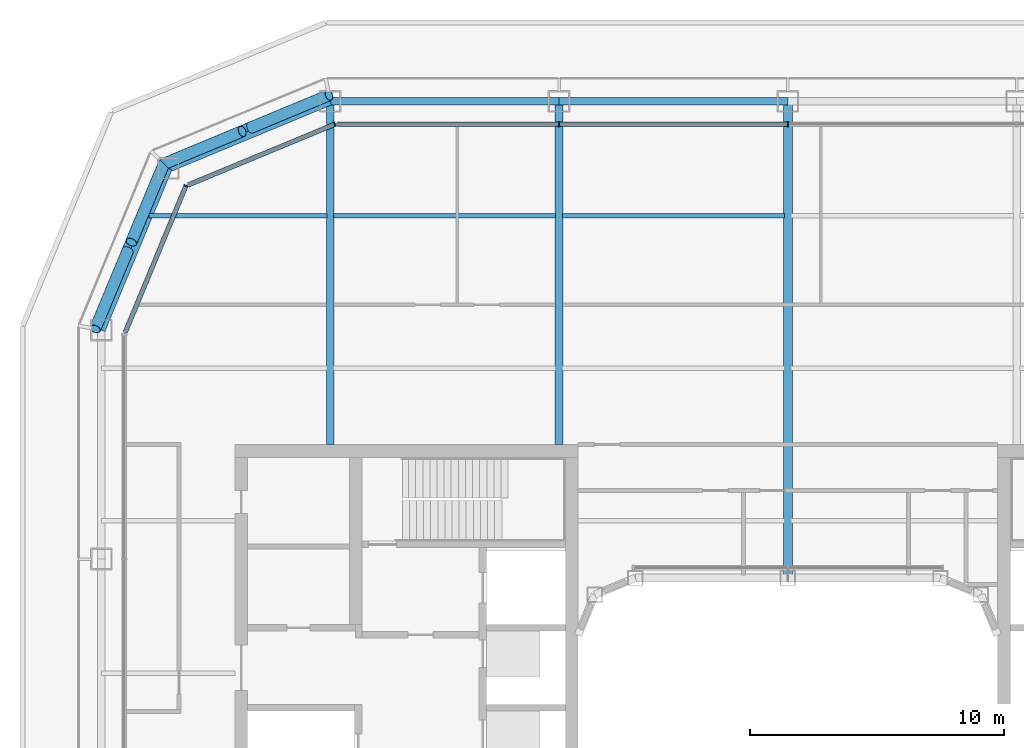
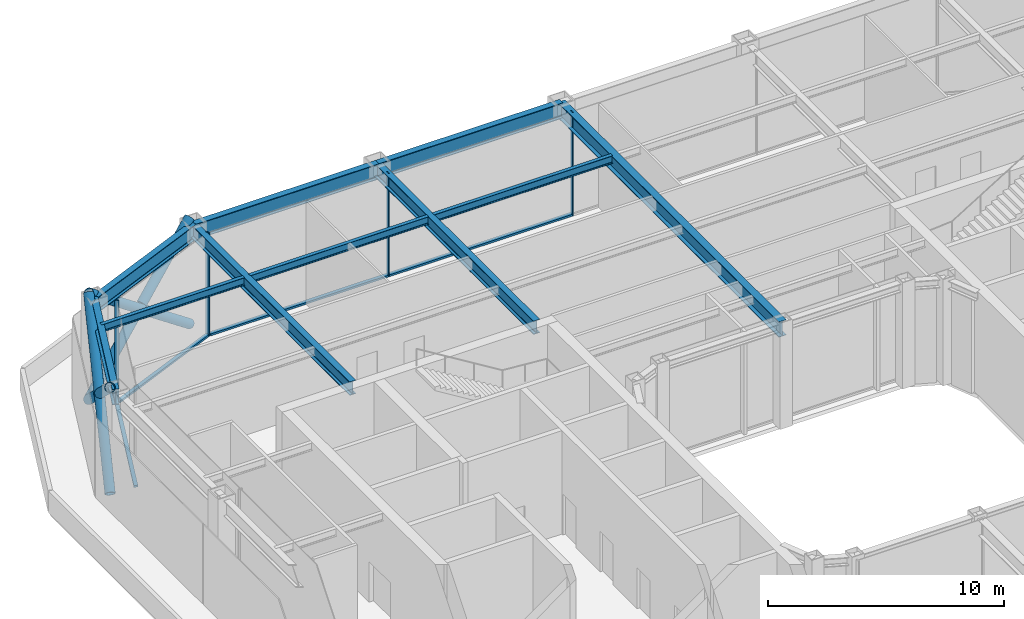
# One storey, part 7 of 19: 14 members, 10 beams, 3 elements without a shape of their own.
"""IFC4 building model written with IfcOpenShell, lengths in metres."""

from ifc_helpers import new_model, si_unit, direction, frame, origin, origin_2d, place, context, subcontext, project, spatial, rectangle, hollow_circle, i_section, extrude, material, layer, layer_set, material_profile, profile_set, type_object, element, aggregate, save


model = new_model("IFC4")

# Units and contexts
model_context = context("Model", 3, precision=1e-05, world=origin(), true_north=direction((0.0, 1.0)))
body_context = subcontext(model_context, "Body", "Model", "MODEL_VIEW")
ifc_project = project(units=[si_unit("LENGTHUNIT", "METRE"), si_unit("AREAUNIT", "SQUARE_METRE"), si_unit("VOLUMEUNIT", "CUBIC_METRE"), si_unit("PLANEANGLEUNIT", "RADIAN"), si_unit("MASSUNIT", "GRAM", prefix="KILO")], contexts=[model_context])

# Site, building, storey
site_placement = place(None, origin())
site = spatial("IfcSite", under=ifc_project, at=site_placement, CompositionType="ELEMENT")
building_placement = place(site_placement, origin())
building = spatial("IfcBuilding", under=site, at=building_placement, Name="Siwar Civic Tower", CompositionType="ELEMENT")
storey_placement = place(building_placement, frame((0.0, 0.0, 187.199951171875)))
storey = spatial("IfcBuildingStorey", under=building, at=storey_placement, Name="L40", CompositionType="ELEMENT", Elevation=187.199951171875)

# Curtain wall, members
ifc_material_1 = material(Name="Aluminium and glass", Category="aluminium")
ifc_layer_1 = layer(ifc_material_1, 0.179931640625)
ifc_layer_set_1 = layer_set([ifc_layer_1], Name="Aluminium and glass")
curtain_wall_type_1 = type_object("IfcCurtainWallType", Name="ENV-CW-C", PredefinedType="NOTDEFINED", material=ifc_layer_set_1)
curtain_wall_1_placement = place(storey_placement, origin())
curtain_wall_1 = element("IfcCurtainWall", 1, at=curtain_wall_1_placement, inside=storey, type_object=curtain_wall_type_1, Name="Curtain wall C N", PredefinedType="NOTDEFINED")
ifc_material_2 = material(Name="Aluminium 6063-T6", Category="aluminium")
ifc_material_profile_1 = material_profile(ifc_material_2, rectangle(XDim=0.179931640625, YDim=0.06005859375, at=origin_2d()), Name="AL 180x60")
ifc_profile_set_1 = profile_set([ifc_material_profile_1], Name="Aluminium 6063-T6")
member_type_1 = type_object("IfcMemberType", Name="ENV-MULLION-C", PredefinedType="MULLION", material=ifc_profile_set_1)
member_1_placement = place(storey_placement, frame((0.0, 26.10009765625, 0.0), z_axis=(0.0, 0.0, 1.0), x_axis=(0.0, -1.0, 0.0)))
member_1 = element("IfcMember", 2, at=member_1_placement, type_object=member_type_1, Name="Mullion C N 3", PredefinedType="MULLION", context=body_context, shape_type="SweptSolid", body=[
    extrude(rectangle(XDim=0.179931640625, YDim=0.06005859375, at=origin_2d()), origin(), (0.0, 0.0, 1.0), 5.35009765625),
])
member_2_placement = place(storey_placement, frame((-9.0, 26.10009765625, 0.0), z_axis=(0.0, 0.0, 1.0), x_axis=(0.0, -1.0, 0.0)))
member_2 = element("IfcMember", 3, at=member_2_placement, type_object=member_type_1, Name="Mullion C N 4", PredefinedType="MULLION", context=body_context, shape_type="SweptSolid", body=[
    extrude(rectangle(XDim=0.179931640625, YDim=0.06005859375, at=origin_2d()), origin(), (0.0, 0.0, 1.0), 5.35009765625),
])

# Curtain wall, member
ifc_material_3 = material(Name="Aluminium clad insulated panel", Category="aluminium")
ifc_layer_2 = layer(ifc_material_3, 0.179931640625)
ifc_layer_set_2 = layer_set([ifc_layer_2], Name="Aluminium clad insulated panel")
curtain_wall_type_2 = type_object("IfcCurtainWallType", Name="ENV-CW-CX", PredefinedType="NOTDEFINED", material=ifc_layer_set_2)
curtain_wall_2_placement = place(storey_placement, origin())
curtain_wall_2 = element("IfcCurtainWall", 4, at=curtain_wall_2_placement, inside=storey, type_object=curtain_wall_type_2, Name="Curtain wall C NW1", PredefinedType="NOTDEFINED")
member_3_placement = place(storey_placement, frame((-17.821044921875, 26.10009765625, 0.0), z_axis=(0.0, 0.0, 1.0), x_axis=(0.382683432365, -0.923879532511, 0.0)))
member_3 = element("IfcMember", 5, at=member_3_placement, type_object=member_type_1, Name="Mullion C NW1 1", PredefinedType="MULLION", context=body_context, shape_type="SweptSolid", body=[
    extrude(rectangle(XDim=0.179931640625, YDim=0.06005859375, at=origin_2d()), origin(), (0.0, 0.0, 1.0), 5.35009765625),
])

curtain_wall_3_placement = place(storey_placement, origin())
curtain_wall_3 = element("IfcCurtainWall", 6, at=curtain_wall_3_placement, inside=storey, type_object=curtain_wall_type_2, Name="Curtain wall C NW2", PredefinedType="NOTDEFINED")
member_4_placement = place(storey_placement, frame((-23.675048828125, 23.675048828125, 0.0), z_axis=(0.0, 0.0, 1.0), x_axis=(0.923879532511, -0.382683432365, 0.0)))
member_4 = element("IfcMember", 7, at=member_4_placement, type_object=member_type_1, Name="Mullion C NW2 1", PredefinedType="MULLION", context=body_context, shape_type="SweptSolid", body=[
    extrude(rectangle(XDim=0.179931640625, YDim=0.06005859375, at=origin_2d()), origin(), (0.0, 0.0, 1.0), 5.35009765625),
])

# Member
ifc_material_4 = material(Name="Aluminium 6063-T6", Category="aluminium")
ifc_material_profile_2 = material_profile(ifc_material_4, rectangle(XDim=0.179931640625, YDim=0.10009765625, at=origin_2d()), Name="AL 180x100")
ifc_profile_set_2 = profile_set([ifc_material_profile_2], Name="Aluminium 6063-T6")
member_type_2 = type_object("IfcMemberType", Name="ENV-TRANSOM-C", PredefinedType="USERDEFINED", material=ifc_profile_set_2)
member_5_placement = place(storey_placement, frame((-0.030029296875, 26.10009765625, 0.050048828125), z_axis=(-1.0, 0.0, 0.0), x_axis=(0.0, -1.0, 0.0)))
member_5 = element("IfcMember", 8, at=member_5_placement, type_object=member_type_2, Name="Transom C N 3", ObjectType="TRANSOM", PredefinedType="USERDEFINED", context=body_context, shape_type="SweptSolid", body=[
    extrude(rectangle(XDim=0.179931640625, YDim=0.10009765625, at=origin_2d()), origin(), (0.0, 0.0, 1.0), 8.93994140625),
])

member_6_placement = place(storey_placement, frame((-9.030029296875, 26.10009765625, 0.050048828125), z_axis=(-1.0, 0.0, 0.0), x_axis=(0.0, -1.0, 0.0)))
member_6 = element("IfcMember", 9, at=member_6_placement, type_object=member_type_2, Name="Transom C N 4", ObjectType="TRANSOM", PredefinedType="USERDEFINED", context=body_context, shape_type="SweptSolid", body=[
    extrude(rectangle(XDim=0.179931640625, YDim=0.10009765625, at=origin_2d()), origin(), (0.0, 0.0, 1.0), 8.68603515625),
])

aggregate(curtain_wall_1, [member_1, member_2, member_5, member_6])

member_7_placement = place(storey_placement, frame((-17.8486328125, 26.088623046875, 0.050048828125), z_axis=(-0.923882011223, -0.38267744817, 0.0), x_axis=(0.38267744817, -0.923882011223, 0.0)))
member_7 = element("IfcMember", 10, at=member_7_placement, type_object=member_type_2, Name="Transom C NW1 1", ObjectType="TRANSOM", PredefinedType="USERDEFINED", context=body_context, shape_type="SweptSolid", body=[
    extrude(rectangle(XDim=0.179931640625, YDim=0.10009765625, at=origin_2d()), origin(), (0.0, 0.0, 1.0), 6.201904296875),
])

aggregate(curtain_wall_2, [member_3, member_7])

member_8_placement = place(storey_placement, frame((-23.6865234375, 23.6474609375, 0.050048828125), z_axis=(-0.382691366456, -0.923876246063, 0.0), x_axis=(0.923876246063, -0.382691366456, 0.0)))
member_8 = element("IfcMember", 11, at=member_8_placement, type_object=member_type_2, Name="Transom C NW2 1", ObjectType="TRANSOM", PredefinedType="USERDEFINED", context=body_context, shape_type="SweptSolid", body=[
    extrude(rectangle(XDim=0.179931640625, YDim=0.10009765625, at=origin_2d()), origin(), (0.0, 0.0, 1.0), 6.20166015625),
])

aggregate(curtain_wall_3, [member_4, member_8])

# Members
ifc_material_5 = material(Name="Steel S355", Category="steel")
ifc_material_profile_3 = material_profile(ifc_material_5, hollow_circle(Radius=0.228515625, WallThickness=0.02001953125, at=origin_2d()), Name="CHS457x20")
ifc_profile_set_3 = profile_set([ifc_material_profile_3], Name="Steel S355")
member_type_3 = type_object("IfcMemberType", Name="STR-BR-CHS457x20", PredefinedType="BRACE", material=ifc_profile_set_3)
member_9_placement = place(storey_placement, frame((-27.2451171875, 18.048828125, 0.0), z_axis=(0.302906807269, 0.727145879939, 0.616040855299), x_axis=(-0.923108759191, 0.384538969033, 0.0)))
element("IfcMember", 12, at=member_9_placement, inside=storey, type_object=member_type_3, Name="L40/brc/CNW1-0-0-1", PredefinedType="BRACE", context=body_context, shape_type="SweptSolid", body=[
    extrude(hollow_circle(Radius=0.228515625, WallThickness=0.02001953125, at=origin_2d()), origin(), (0.0, 0.0, 1.0), 8.927978515625),
])
member_10_placement = place(storey_placement, frame((-24.540771484375, 24.540771484375, 0.0), z_axis=(-0.302925168513, -0.727124205174, 0.616057410094), x_axis=(0.923096415499, -0.384568599462, 0.0)))
element("IfcMember", 13, at=member_10_placement, inside=storey, type_object=member_type_3, Name="L40/brc/CNW1-0-0-2", PredefinedType="BRACE", context=body_context, shape_type="SweptSolid", body=[
    extrude(hollow_circle(Radius=0.228515625, WallThickness=0.02001953125, at=origin_2d()), origin(), (0.0, 0.0, 1.0), 4.233642578125),
])
member_11_placement = place(storey_placement, frame((-25.962890625, 21.127197265625, 2.89208984375), z_axis=(-0.302883552178, -0.727162739796, 0.616032388493), x_axis=(0.923122402988, -0.384506214648, 0.0)))
element("IfcMember", 14, at=member_11_placement, inside=storey, type_object=member_type_3, Name="L40/brc/CNW1-0-0-3", PredefinedType="BRACE", context=body_context, shape_type="SweptSolid", body=[
    extrude(hollow_circle(Radius=0.228515625, WallThickness=0.02001953125, at=origin_2d()), origin(), (0.0, 0.0, 1.0), 4.2333984375),
])
member_12_placement = place(storey_placement, frame((-18.048828125, 27.2451171875, 0.0), z_axis=(-0.727145879939, -0.302906807269, 0.616040855299), x_axis=(0.384538969033, -0.923108759191, 0.0)))
element("IfcMember", 15, at=member_12_placement, inside=storey, type_object=member_type_3, Name="L40/brc/CNW1-0-0-0", PredefinedType="BRACE", context=body_context, shape_type="SweptSolid", body=[
    extrude(hollow_circle(Radius=0.228515625, WallThickness=0.02001953125, at=origin_2d()), origin(), (0.0, 0.0, 1.0), 8.927978515625),
])
member_13_placement = place(storey_placement, frame((-24.540771484375, 24.540771484375, 0.0), z_axis=(0.727124205174, 0.302925168513, 0.616057410094), x_axis=(-0.384568599462, 0.923096415499, 0.0)))
element("IfcMember", 16, at=member_13_placement, inside=storey, type_object=member_type_3, Name="L40/brc/CNW1-0-0-4", PredefinedType="BRACE", context=body_context, shape_type="SweptSolid", body=[
    extrude(hollow_circle(Radius=0.228515625, WallThickness=0.02001953125, at=origin_2d()), origin(), (0.0, 0.0, 1.0), 4.233642578125),
])
member_14_placement = place(storey_placement, frame((-21.127197265625, 25.962890625, 2.89208984375), z_axis=(0.727162739796, 0.302883552178, 0.616032388493), x_axis=(-0.384506214648, 0.923122402988, 0.0)))
element("IfcMember", 17, at=member_14_placement, inside=storey, type_object=member_type_3, Name="L40/brc/CNW1-0-0-5", PredefinedType="BRACE", context=body_context, shape_type="SweptSolid", body=[
    extrude(hollow_circle(Radius=0.228515625, WallThickness=0.02001953125, at=origin_2d()), origin(), (0.0, 0.0, 1.0), 4.2333984375),
])

# Beams
ifc_material_6 = material(Name="Steel S355", Category="steel")
ifc_material_profile_4 = material_profile(ifc_material_6, i_section(OverallWidth=0.179931640625, OverallDepth=0.39990234375, WebThickness=0.008544921875, FlangeThickness=0.013427734375, FilletRadius=0.02099609375, at=origin_2d()), Name="IPE400")
ifc_profile_set_4 = profile_set([ifc_material_profile_4], Name="Steel S355")
beam_type_1 = type_object("IfcBeamType", Name="STR-FB-IPE400", PredefinedType="JOIST", material=ifc_profile_set_4)
beam_1_placement = place(storey_placement, frame((-25.135986328125, 22.5, 5.150146484375), z_axis=(1.0, 0.0, 0.0), x_axis=(0.0, 1.0, 0.0)))
element("IfcBeam", 18, at=beam_1_placement, inside=storey, type_object=beam_type_1, Name="L40/bm/F037", PredefinedType="JOIST", context=body_context, shape_type="SweptSolid", body=[
    extrude(i_section(OverallWidth=0.179931640625, OverallDepth=0.39990234375, WebThickness=0.008544921875, FlangeThickness=0.013427734375, FilletRadius=0.02099609375, at=origin_2d()), origin(), (0.0, 0.0, 1.0), 7.006103515625),
])
for number, where, z_axis, x_axis, name in (
    (19, (-17.8701171875, 22.5, 5.150146484375), (1.0, 0.0, 0.0), (0.0, 1.0, 0.0), "L40/bm/F038"),
    (20, (-8.8701171875, 22.5, 5.150146484375), (1.0, 0.0, 0.0), (0.0, 1.0, 0.0), "L40/bm/F039"),
):
    element("IfcBeam", number, at=place(storey_placement, frame(where, z_axis=z_axis, x_axis=x_axis)), inside=storey, type_object=beam_type_1, Name=name, PredefinedType="JOIST", context=body_context, shape_type="SweptSolid", body=[
        extrude(i_section(OverallWidth=0.179931640625, OverallDepth=0.39990234375, WebThickness=0.008544921875, FlangeThickness=0.013427734375, FilletRadius=0.02099609375, at=origin_2d()), origin(), (0.0, 0.0, 1.0), 8.740234375),
    ])
ifc_material_7 = material(Name="Steel S355", Category="steel")
ifc_material_profile_5 = material_profile(ifc_material_7, i_section(OverallWidth=0.300048828125, OverallDepth=0.699951171875, WebThickness=0.01708984375, FlangeThickness=0.031982421875, FilletRadius=0.027099609375, at=origin_2d()), Name="HEB700")
ifc_profile_set_5 = profile_set([ifc_material_profile_5], Name="Steel S355")
beam_type_2 = type_object("IfcBeamType", Name="STR-PG-HEB700", PredefinedType="BEAM", material=ifc_profile_set_5)
for number, where, z_axis, x_axis, name in (
    (21, (-18.0, 13.5, 5.0), (0.0, 1.0, 0.0), (-1.0, 0.0, 0.0), "L40/bm/G02"),
    (22, (-9.0, 13.5, 5.0), (0.0, 1.0, 0.0), (-1.0, 0.0, 0.0), "L40/bm/G04"),
):
    element("IfcBeam", number, at=place(storey_placement, frame(where, z_axis=z_axis, x_axis=x_axis)), inside=storey, type_object=beam_type_2, Name=name, PredefinedType="BEAM", context=body_context, shape_type="SweptSolid", body=[
        extrude(i_section(OverallWidth=0.300048828125, OverallDepth=0.699951171875, WebThickness=0.01708984375, FlangeThickness=0.031982421875, FilletRadius=0.027099609375, at=origin_2d()), origin(), (0.0, 0.0, 1.0), 13.5),
    ])
ifc_material_8 = material(Name="Steel S355", Category="steel")
ifc_material_profile_6 = material_profile(ifc_material_8, i_section(OverallWidth=0.360107421875, OverallDepth=0.800048828125, WebThickness=0.013916015625, FlangeThickness=0.031982421875, at=origin_2d()), Name="PG800x360x14x32")
ifc_profile_set_6 = profile_set([ifc_material_profile_6], Name="Steel S355")
beam_type_3 = type_object("IfcBeamType", Name="STR-PG-PG800x360x14x32", PredefinedType="BEAM", material=ifc_profile_set_6)
beam_2_placement = place(storey_placement, frame((0.0, 8.25, 4.949951171875), z_axis=(0.0, 1.0, 0.0), x_axis=(-1.0, 0.0, 0.0)))
element("IfcBeam", 23, at=beam_2_placement, inside=storey, type_object=beam_type_3, Name="L40/bm/G06", PredefinedType="BEAM", context=body_context, shape_type="SweptSolid", body=[
    extrude(i_section(OverallWidth=0.360107421875, OverallDepth=0.800048828125, WebThickness=0.013916015625, FlangeThickness=0.031982421875, at=origin_2d()), origin(), (0.0, 0.0, 1.0), 18.75),
])
ifc_material_9 = material(Name="Steel S355", Category="steel")
ifc_material_profile_7 = material_profile(ifc_material_9, i_section(OverallWidth=0.300048828125, OverallDepth=0.800048828125, WebThickness=0.017578125, FlangeThickness=0.032958984375, FilletRadius=0.030029296875, at=origin_2d()), Name="HEB800")
ifc_profile_set_7 = profile_set([ifc_material_profile_7], Name="Steel S355")
beam_type_4 = type_object("IfcBeamType", Name="STR-SB-HEB800", PredefinedType="BEAM", material=ifc_profile_set_7)
for number, where, z_axis, x_axis, name in (
    (24, (0.0, 27.0, 4.949951171875), (-1.0, 0.0, 0.0), (0.0, -1.0, 0.0), "L40/bm/SN-2"),
    (25, (-9.0, 27.0, 4.949951171875), (-1.0, 0.0, 0.0), (0.0, -1.0, 0.0), "L40/bm/SN-3"),
):
    element("IfcBeam", number, at=place(storey_placement, frame(where, z_axis=z_axis, x_axis=x_axis)), inside=storey, type_object=beam_type_4, Name=name, PredefinedType="BEAM", context=body_context, shape_type="SweptSolid", body=[
        extrude(i_section(OverallWidth=0.300048828125, OverallDepth=0.800048828125, WebThickness=0.017578125, FlangeThickness=0.032958984375, FilletRadius=0.030029296875, at=origin_2d()), origin(), (0.0, 0.0, 1.0), 9.0),
    ])
for number, where, z_axis, x_axis, name in (
    (26, (-18.0, 27.0, 4.949951171875), (-0.923883353507, -0.382674207535, 0.0), (0.382674207535, -0.923883353507, 0.0), "L40/bm/SNW1-0"),
    (27, (-24.364013671875, 24.364013671875, 4.949951171875), (-0.382674207535, -0.923883353507, 0.0), (0.923883353507, -0.382674207535, 0.0), "L40/bm/SNW2-0"),
):
    element("IfcBeam", number, at=place(storey_placement, frame(where, z_axis=z_axis, x_axis=x_axis)), inside=storey, type_object=beam_type_4, Name=name, PredefinedType="BEAM", context=body_context, shape_type="SweptSolid", body=[
        extrude(i_section(OverallWidth=0.300048828125, OverallDepth=0.800048828125, WebThickness=0.017578125, FlangeThickness=0.032958984375, FilletRadius=0.030029296875, at=origin_2d()), origin(), (0.0, 0.0, 1.0), 6.888427734375),
    ])

save(model, "model.ifc")
